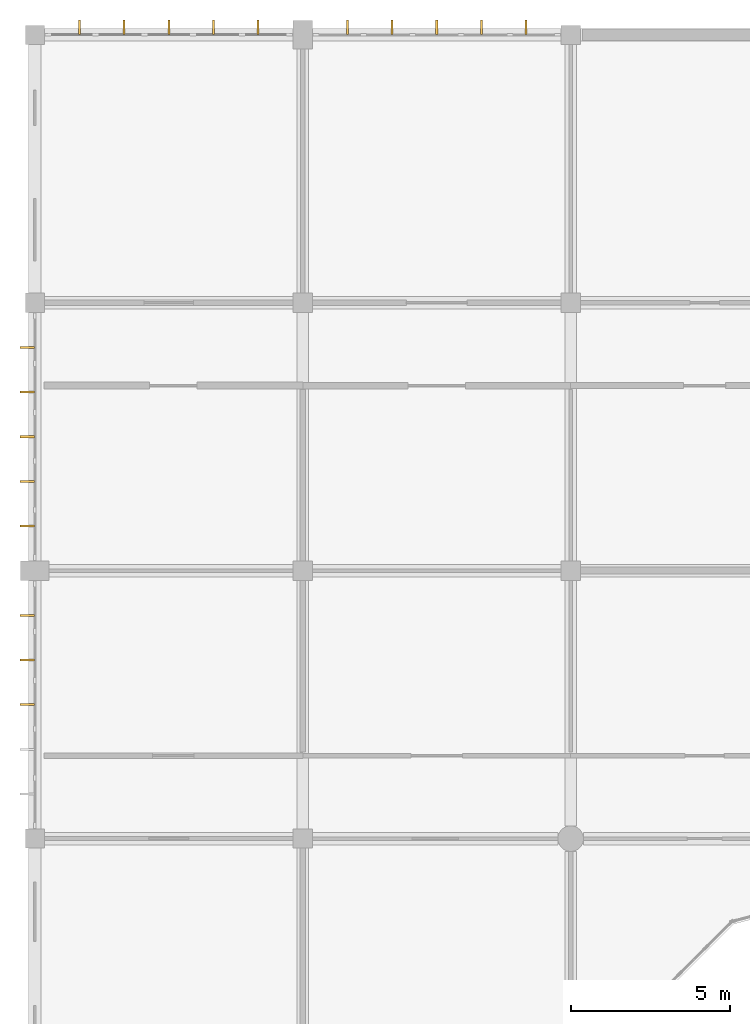
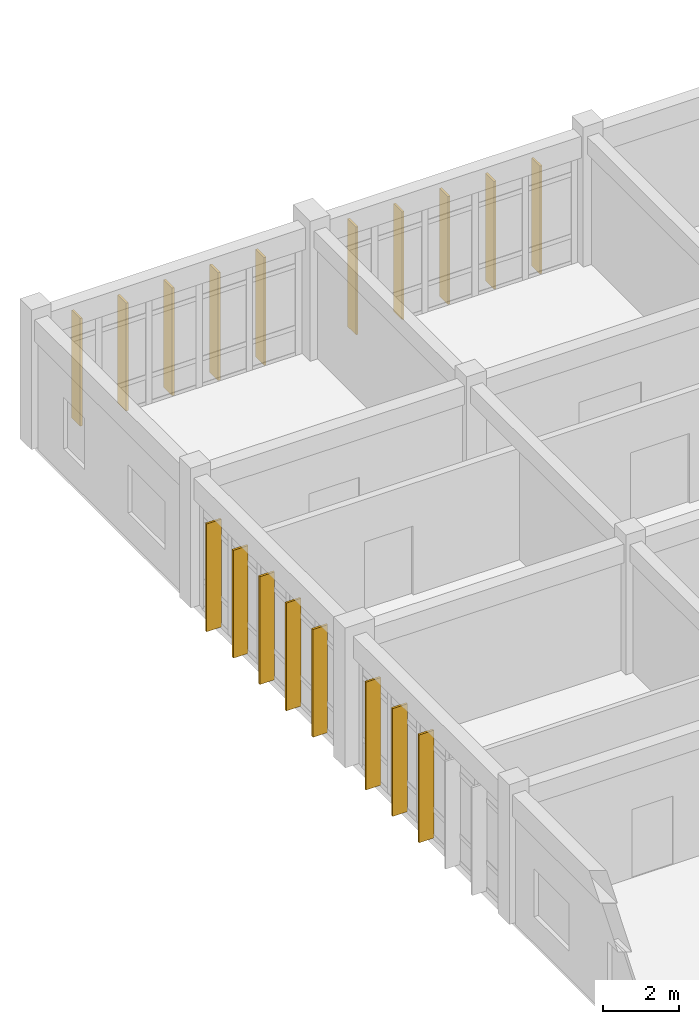
# One storey, part 133 of 144: 18 shading devices.
"""IFC4 building model written with IfcOpenShell, lengths in metres."""

from ifc_helpers import new_model, si_unit, direction, frame, origin, origin_2d, place, context, subcontext, project, spatial, rectangle, extrude, material, material_profile, profile_set, type_object, element, save


model = new_model("IFC4")

# Units and contexts
model_context = context("Model", 3, precision=1e-05, world=origin(), true_north=direction((0.0, 1.0)))
body_context = subcontext(model_context, "Body", "Model", "MODEL_VIEW")
ifc_project = project(units=[si_unit("LENGTHUNIT", "METRE"), si_unit("AREAUNIT", "SQUARE_METRE"), si_unit("VOLUMEUNIT", "CUBIC_METRE"), si_unit("PLANEANGLEUNIT", "RADIAN"), si_unit("MASSUNIT", "GRAM", prefix="KILO")], contexts=[model_context])

# Site, building, storey
site_placement = place(None, origin())
site = spatial("IfcSite", under=ifc_project, at=site_placement, CompositionType="ELEMENT")
building_placement = place(site_placement, origin())
building = spatial("IfcBuilding", under=site, at=building_placement, Name="Bramfleet General Hospital", CompositionType="ELEMENT")
storey_placement = place(building_placement, frame((0.0, 0.0, 4.800048828125)))
storey = spatial("IfcBuildingStorey", under=building, at=storey_placement, Name="L01", CompositionType="ELEMENT", Elevation=4.800048828125)

# Shading devices
ifc_material = material(Name="Treated European larch timber", Category="wood")
ifc_material_profile = material_profile(ifc_material, rectangle(XDim=0.06494140625, YDim=0.449951171875, at=origin_2d()), Name="LARCH FIN 450x65")
ifc_profile_set = profile_set([ifc_material_profile], Name="Treated European larch timber")
shading_device_type = type_object("IfcShadingDeviceType", Name="SHD-FIN-450", PredefinedType="USERDEFINED", material=ifc_profile_set)
for number, where, z_axis, x_axis, name in (
    (1, (-0.239990234375, 96.60009765625, -0.02001953125), (0.0, 0.0, 1.0), (0.0, 1.0, 0.0), "L01 Larch Timber Shading Fin 166"),
    (2, (-0.239990234375, 98.0, -0.02001953125), (0.0, 0.0, 1.0), (0.0, 1.0, 0.0), "L01 Larch Timber Shading Fin 167"),
    (3, (-0.239990234375, 99.39990234375, -0.02001953125), (0.0, 0.0, 1.0), (0.0, 1.0, 0.0), "L01 Larch Timber Shading Fin 168"),
    (4, (-0.239990234375, 102.199951171875, -0.02001953125), (0.0, 0.0, 1.0), (0.0, 1.0, 0.0), "L01 Larch Timber Shading Fin 169"),
    (5, (-0.239990234375, 103.60009765625, -0.02001953125), (0.0, 0.0, 1.0), (0.0, 1.0, 0.0), "L01 Larch Timber Shading Fin 170"),
    (6, (-0.239990234375, 105.0, -0.02001953125), (0.0, 0.0, 1.0), (0.0, 1.0, 0.0), "L01 Larch Timber Shading Fin 171"),
    (7, (-0.239990234375, 106.39990234375, -0.02001953125), (0.0, 0.0, 1.0), (0.0, 1.0, 0.0), "L01 Larch Timber Shading Fin 172"),
    (8, (-0.239990234375, 107.800048828125, -0.02001953125), (0.0, 0.0, 1.0), (0.0, 1.0, 0.0), "L01 Larch Timber Shading Fin 173"),
    (9, (1.39990234375, 117.840087890625, -0.02001953125), (0.0, 0.0, 1.0), (1.0, 0.0, 0.0), "L01 Larch Timber Shading Fin 174"),
    (10, (2.800048828125, 117.840087890625, -0.02001953125), (0.0, 0.0, 1.0), (1.0, 0.0, 0.0), "L01 Larch Timber Shading Fin 175"),
    (11, (4.199951171875, 117.840087890625, -0.02001953125), (0.0, 0.0, 1.0), (1.0, 0.0, 0.0), "L01 Larch Timber Shading Fin 176"),
    (12, (5.60009765625, 117.840087890625, -0.02001953125), (0.0, 0.0, 1.0), (1.0, 0.0, 0.0), "L01 Larch Timber Shading Fin 177"),
    (13, (7.0, 117.840087890625, -0.02001953125), (0.0, 0.0, 1.0), (1.0, 0.0, 0.0), "L01 Larch Timber Shading Fin 178"),
    (14, (9.800048828125, 117.840087890625, -0.02001953125), (0.0, 0.0, 1.0), (1.0, 0.0, 0.0), "L01 Larch Timber Shading Fin 179"),
    (15, (11.199951171875, 117.840087890625, -0.02001953125), (0.0, 0.0, 1.0), (1.0, 0.0, 0.0), "L01 Larch Timber Shading Fin 180"),
    (16, (12.60009765625, 117.840087890625, -0.02001953125), (0.0, 0.0, 1.0), (1.0, 0.0, 0.0), "L01 Larch Timber Shading Fin 181"),
    (17, (14.0, 117.840087890625, -0.02001953125), (0.0, 0.0, 1.0), (1.0, 0.0, 0.0), "L01 Larch Timber Shading Fin 182"),
    (18, (15.39990234375, 117.840087890625, -0.02001953125), (0.0, 0.0, 1.0), (1.0, 0.0, 0.0), "L01 Larch Timber Shading Fin 183"),
):
    element("IfcShadingDevice", number, at=place(storey_placement, frame(where, z_axis=z_axis, x_axis=x_axis)), inside=storey, type_object=shading_device_type, Name=name, ObjectType="Fin", PredefinedType="USERDEFINED", context=body_context, shape_type="SweptSolid", body=[
        extrude(rectangle(XDim=0.06494140625, YDim=0.449951171875, at=origin_2d()), origin(), (0.0, 0.0, 1.0), 3.469970703125),
    ])

save(model, "model.ifc")
